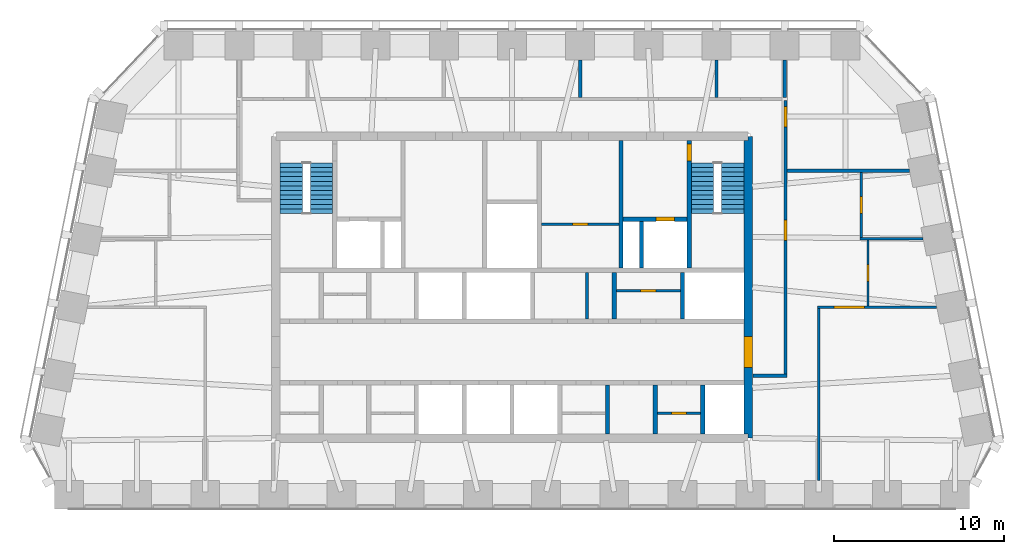
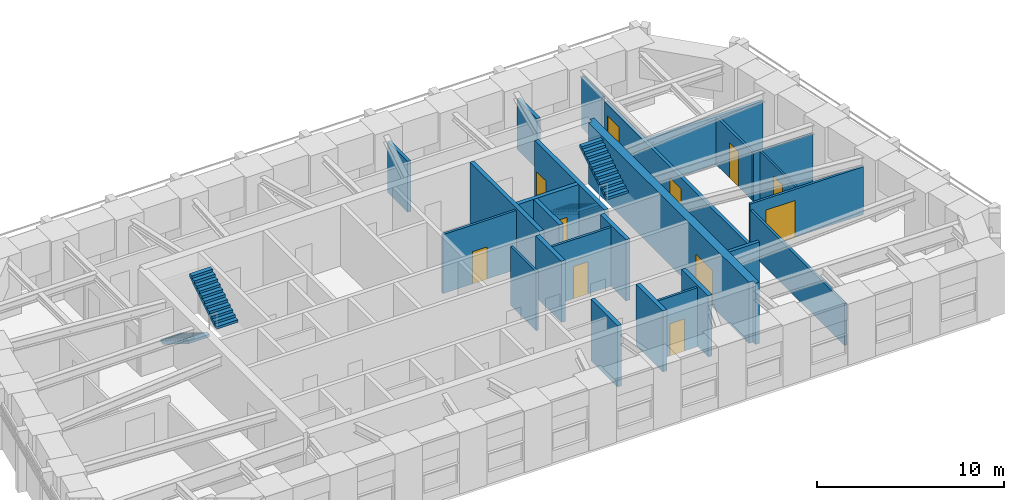
# One storey, part 6 of 8: 25 walls, 11 doors, 4 stair flights, 11 openings, 2 elements without a shape of their own.
"""IFC4 building model written with IfcOpenShell, lengths in metres."""

from ifc_helpers import new_model, si_unit, direction, frame, frame_2d, origin, place, context, subcontext, project, spatial, polyline, rectangle, outline, extrude, material, layer, layer_set, type_object, element, fill, aggregate, save


model = new_model("IFC4")

# Units and contexts
model_context = context("Model", 3, precision=1e-05, world=origin(), true_north=direction((0.0, 1.0)))
body_context = subcontext(model_context, "Body", "Model", "MODEL_VIEW")
ifc_project = project(units=[si_unit("LENGTHUNIT", "METRE"), si_unit("AREAUNIT", "SQUARE_METRE"), si_unit("VOLUMEUNIT", "CUBIC_METRE"), si_unit("PLANEANGLEUNIT", "RADIAN"), si_unit("MASSUNIT", "GRAM", prefix="KILO")], contexts=[model_context])

# Site, building, storey
site_placement = place(None, origin())
site = spatial("IfcSite", under=ifc_project, at=site_placement, CompositionType="ELEMENT")
building_placement = place(site_placement, origin())
building = spatial("IfcBuilding", under=site, at=building_placement, Name="Isbrekke Arena Tower", CompositionType="ELEMENT")
storey_placement = place(building_placement, frame((0.0, 0.0, 320.0)))
storey = spatial("IfcBuildingStorey", under=building, at=storey_placement, Name="L75", CompositionType="ELEMENT", Elevation=320.0)

# Wall, opening, door
ifc_material_1 = material(Name="Concrete B55 (C55/67)", Category="concrete")
ifc_layer_1 = layer(ifc_material_1, 0.5)
ifc_layer_set_1 = layer_set([ifc_layer_1], Name="CW5 CORE WALL 500")
wall_type_1 = type_object("IfcWallType", Name="CW5 CORE WALL 500", PredefinedType="SHEAR", material=ifc_layer_set_1)
wall_1_placement = place(storey_placement, frame((13.85009765625, 6.14990234375, 0.0), z_axis=(0.0, 0.0, 1.0), x_axis=(0.0, 1.0, 0.0)))
wall_1 = element("IfcWall", 1, at=wall_1_placement, inside=storey, type_object=wall_type_1, Name="Core wall E L75", PredefinedType="SHEAR", context=body_context, shape_type="SweptSolid", body=[
    extrude(outline(polyline([(0.0, -0.25), (17.7001953125, -0.25), (17.7001953125, 0.0), (17.4501953125, 0.0), (17.4501953125, 0.25), (0.25, 0.25), (0.25, 0.0), (0.0, 0.0), (0.0, -0.25)])), origin(), (0.0, 0.0, 1.0), 4.0),
])
opening_1_placement = place(wall_1_placement, frame((4.14990234375, 0.0, 0.0)))
opening_1 = element("IfcOpeningElement", 2, at=opening_1_placement, cuts=wall_1, Name="Opening D1", PredefinedType="OPENING", context=body_context, shape_type="SweptSolid", body=[
    extrude(rectangle(XDim=1.800048828125, YDim=2.39990234375, at=frame_2d((0.89990234375, 1.199951171875))), frame((0.0, 0.264892578125, 0.0), z_axis=(0.0, -1.0, 0.0), x_axis=(1.0, 0.0, 0.0)), (0.0, 0.0, 1.0), 0.52978515625),
])
ifc_material_2 = material(Name="Steel-framed glazed fire door", Category="steel")
door_type_1 = type_object("IfcDoorType", Name="D1 CORE LOBBY DOOR 1800 x 2400", OperationType="DOUBLE_DOOR_SINGLE_SWING", PredefinedType="DOOR", material=ifc_material_2)
door_1_placement = place(opening_1_placement, origin())
door_1 = element("IfcDoor", 3, at=door_1_placement, inside=storey, type_object=door_type_1, Name="D1 lift lobby door east L75", OperationType="DOUBLE_DOOR_SINGLE_SWING", OverallHeight=2.39990234375, OverallWidth=1.800048828125, PredefinedType="DOOR", context=body_context, shape_type="SweptSolid", body=[
    extrude(rectangle(XDim=1.800048828125, YDim=2.39990234375, at=frame_2d((0.89990234375, 1.199951171875))), frame((0.0, 0.249755859375, 0.0), z_axis=(0.0, -1.0, 0.0), x_axis=(1.0, 0.0, 0.0)), (0.0, 0.0, 1.0), 0.49951171875),
])
fill(opening_1, door_1)

# Walls
ifc_material_3 = material(Name="Concrete B45 (C45/55)", Category="concrete")
ifc_layer_2 = layer(ifc_material_3, 0.25)
ifc_layer_set_2 = layer_set([ifc_layer_2], Name="CW6 SHAFT WALL 250")
wall_type_2 = type_object("IfcWallType", Name="CW6 SHAFT WALL 250", PredefinedType="SHEAR", material=ifc_layer_set_2)
for number, where, z_axis, x_axis, name in (
    (4, (5.60009765625, 6.39990234375, 0.0), (0.0, 0.0, 1.0), (0.0, 1.0, 0.0), "Core wall SS07 L75"),
    (5, (8.39990234375, 6.39990234375, 0.0), (0.0, 0.0, 1.0), (0.0, 1.0, 0.0), "Core wall SS08 L75"),
    (6, (11.199951171875, 6.39990234375, 0.0), (0.0, 0.0, 1.0), (0.0, 1.0, 0.0), "Core wall SS09 L75"),
):
    element("IfcWall", number, at=place(storey_placement, frame(where, z_axis=z_axis, x_axis=x_axis)), inside=storey, type_object=wall_type_2, Name=name, PredefinedType="SHEAR", context=body_context, shape_type="SweptSolid", body=[
        extrude(rectangle(XDim=2.875, YDim=0.25, at=frame_2d((1.4375, 0.0))), origin(), (0.0, 0.0, 1.0), 4.0),
    ])
for number, where, z_axis, x_axis, name in (
    (7, (6.0, 13.125, 0.0), (0.0, 0.0, 1.0), (0.0, 1.0, 0.0), "Core wall SN06 L75"),
    (8, (10.0, 13.125, 0.0), (0.0, 0.0, 1.0), (0.0, 1.0, 0.0), "Core wall SN07 L75"),
):
    element("IfcWall", number, at=place(storey_placement, frame(where, z_axis=z_axis, x_axis=x_axis)), inside=storey, type_object=wall_type_2, Name=name, PredefinedType="SHEAR", context=body_context, shape_type="SweptSolid", body=[
        extrude(rectangle(XDim=2.75, YDim=0.25, at=frame_2d((1.375, 0.0))), origin(), (0.0, 0.0, 1.0), 4.0),
    ])
wall_2_placement = place(storey_placement, frame((6.39990234375, 16.125, 0.0), z_axis=(0.0, 0.0, 1.0), x_axis=(0.0, 1.0, 0.0)))
element("IfcWall", 9, at=wall_2_placement, inside=storey, type_object=wall_type_2, Name="Core wall NV05 L75", PredefinedType="SHEAR", context=body_context, shape_type="SweptSolid", body=[
    extrude(rectangle(XDim=7.47509765625, YDim=0.25, at=frame_2d((3.737548828125, 0.0))), origin(), (0.0, 0.0, 1.0), 4.0),
])

# Wall, opening, door
wall_3_placement = place(storey_placement, frame((10.39990234375, 16.125, 0.0), z_axis=(0.0, 0.0, 1.0), x_axis=(0.0, 1.0, 0.0)))
wall_3 = element("IfcWall", 10, at=wall_3_placement, inside=storey, type_object=wall_type_2, Name="Core wall NV06 L75", PredefinedType="SHEAR", context=body_context, shape_type="SweptSolid", body=[
    extrude(rectangle(XDim=7.47509765625, YDim=0.25, at=frame_2d((3.737548828125, 0.0))), origin(), (0.0, 0.0, 1.0), 4.0),
])
opening_2_placement = place(wall_3_placement, frame((6.27490234375, 0.0, 0.0)))
opening_2 = element("IfcOpeningElement", 11, at=opening_2_placement, cuts=wall_3, Name="Opening D2", PredefinedType="OPENING", context=body_context, shape_type="SweptSolid", body=[
    extrude(rectangle(XDim=1.0, YDim=2.10009765625, at=frame_2d((0.5, 1.050048828125))), frame((0.0, 0.139892578125, 0.0), z_axis=(0.0, -1.0, 0.0), x_axis=(1.0, 0.0, 0.0)), (0.0, 0.0, 1.0), 0.27978515625),
])
ifc_material_4 = material(Name="Steel fire door", Category="steel")
door_type_2 = type_object("IfcDoorType", Name="D2 STAIR DOOR 1000 x 2100", OperationType="SINGLE_SWING_LEFT", PredefinedType="DOOR", material=ifc_material_4)
door_2_placement = place(opening_2_placement, origin())
door_2 = element("IfcDoor", 12, at=door_2_placement, inside=storey, type_object=door_type_2, Name="D2 stair door ST2 L75", OperationType="SINGLE_SWING_LEFT", OverallHeight=2.10009765625, OverallWidth=1.0, PredefinedType="DOOR", context=body_context, shape_type="SweptSolid", body=[
    extrude(rectangle(XDim=1.0, YDim=2.10009765625, at=frame_2d((0.5, 1.050048828125))), frame((0.0, 0.124755859375, 0.0), z_axis=(0.0, -1.0, 0.0), x_axis=(1.0, 0.0, 0.0)), (0.0, 0.0, 1.0), 0.24951171875),
])
fill(opening_2, door_2)

wall_4_placement = place(storey_placement, frame((6.52490234375, 19.0, 0.0), z_axis=(0.0, 0.0, 1.0), x_axis=(1.0, 0.0, 0.0)))
wall_4 = element("IfcWall", 13, at=wall_4_placement, inside=storey, type_object=wall_type_2, Name="Core wall NFE L75", PredefinedType="SHEAR", context=body_context, shape_type="SweptSolid", body=[
    extrude(rectangle(XDim=3.75, YDim=0.25, at=frame_2d((1.875, 0.0))), origin(), (0.0, 0.0, 1.0), 4.0),
])
opening_3_placement = place(wall_4_placement, frame((1.925048828125, 0.0, 0.0)))
opening_3 = element("IfcOpeningElement", 14, at=opening_3_placement, cuts=wall_4, Name="Opening LD2", PredefinedType="OPENING", context=body_context, shape_type="SweptSolid", body=[
    extrude(rectangle(XDim=1.10009765625, YDim=2.10009765625, at=frame_2d((0.550048828125, 1.050048828125))), frame((0.0, 0.139892578125, 0.0), z_axis=(0.0, -1.0, 0.0), x_axis=(1.0, 0.0, 0.0)), (0.0, 0.0, 1.0), 0.27978515625),
])
ifc_material_5 = material(Name="Stainless steel lift landing door", Category="steel")
door_type_3 = type_object("IfcDoorType", Name="LD2 FIRE-FIGHTING LIFT LANDING DOOR 1100 x 2100", OperationType="SLIDING_TO_RIGHT", PredefinedType="DOOR", material=ifc_material_5)
door_3_placement = place(opening_3_placement, origin())
door_3 = element("IfcDoor", 15, at=door_3_placement, inside=storey, type_object=door_type_3, Name="LD2 lift landing door LF L75", OperationType="SLIDING_TO_RIGHT", OverallHeight=2.10009765625, OverallWidth=1.10009765625, PredefinedType="DOOR", context=body_context, shape_type="SweptSolid", body=[
    extrude(rectangle(XDim=1.10009765625, YDim=2.10009765625, at=frame_2d((0.550048828125, 1.050048828125))), frame((0.0, 0.124755859375, 0.0), z_axis=(0.0, -1.0, 0.0), x_axis=(1.0, 0.0, 0.0)), (0.0, 0.0, 1.0), 0.24951171875),
])
fill(opening_3, door_3)

# Wall
wall_5_placement = place(storey_placement, frame((7.60009765625, 16.125, 0.0), z_axis=(0.0, 0.0, 1.0), x_axis=(0.0, 1.0, 0.0)))
element("IfcWall", 16, at=wall_5_placement, inside=storey, type_object=wall_type_2, Name="Core wall NFS2 L75", PredefinedType="SHEAR", context=body_context, shape_type="SweptSolid", body=[
    extrude(rectangle(XDim=2.75, YDim=0.25, at=frame_2d((1.375, 0.0))), origin(), (0.0, 0.0, 1.0), 4.0),
])

# Wall, opening, door
ifc_material_6 = material(Name="Gypsum board partition on steel studs", Category="steel")
ifc_layer_3 = layer(ifc_material_6, 0.14990234375)
ifc_layer_set_3 = layer_set([ifc_layer_3], Name="IW1 PARTITION 150")
wall_type_3 = type_object("IfcWallType", Name="IW1 PARTITION 150", PredefinedType="PARTITIONING", material=ifc_layer_set_3)
wall_6_placement = place(storey_placement, frame((17.925048828125, 13.840087890625, 0.0), z_axis=(0.0, 0.0, 1.0), x_axis=(1.0, 0.0, 0.0)))
wall_6 = element("IfcWall", 17, at=wall_6_placement, inside=storey, type_object=wall_type_3, Name="IW1 partition 150 L75", PredefinedType="PARTITIONING", context=body_context, shape_type="SweptSolid", body=[
    extrude(rectangle(XDim=6.998779296875, YDim=0.14990234375, at=frame_2d((3.49951171875, 0.0))), origin(), (0.0, 0.0, 1.0), 3.1298828125),
])
opening_4_placement = place(wall_6_placement, frame((0.97509765625, 0.0, 0.0)))
opening_4 = element("IfcOpeningElement", 18, at=opening_4_placement, cuts=wall_6, Name="Opening D13", PredefinedType="OPENING", context=body_context, shape_type="SweptSolid", body=[
    extrude(rectangle(XDim=1.800048828125, YDim=2.39990234375, at=frame_2d((0.89990234375, 1.199951171875))), frame((0.0, 0.08984375, 0.0), z_axis=(0.0, -1.0, 0.0), x_axis=(1.0, 0.0, 0.0)), (0.0, 0.0, 1.0), 0.1796875),
])
ifc_material_7 = material(Name="Timber door pair", Category="wood")
door_type_4 = type_object("IfcDoorType", Name="D13 DOUBLE ROOM DOOR 1800 x 2400", OperationType="DOUBLE_DOOR_SINGLE_SWING", PredefinedType="DOOR", material=ifc_material_7)
door_4_placement = place(opening_4_placement, origin())
door_4 = element("IfcDoor", 19, at=door_4_placement, inside=storey, type_object=door_type_4, Name="D13 event lounge door L75", OperationType="DOUBLE_DOOR_SINGLE_SWING", OverallHeight=2.39990234375, OverallWidth=1.800048828125, PredefinedType="DOOR", context=body_context, shape_type="SweptSolid", body=[
    extrude(rectangle(XDim=1.800048828125, YDim=2.39990234375, at=frame_2d((0.89990234375, 1.199951171875))), frame((0.0, 0.07470703125, 0.0), z_axis=(0.0, -1.0, 0.0), x_axis=(1.0, 0.0, 0.0)), (0.0, 0.0, 1.0), 0.1494140625),
])
fill(opening_4, door_4)

# Walls
wall_7_placement = place(storey_placement, frame((20.425048828125, 17.840087890625, 0.0), z_axis=(0.0, 0.0, 1.0), x_axis=(1.0, 0.0, 0.0)))
element("IfcWall", 20, at=wall_7_placement, inside=storey, type_object=wall_type_3, Name="IW1 partition 150 L75", PredefinedType="PARTITIONING", context=body_context, shape_type="SweptSolid", body=[
    extrude(rectangle(XDim=3.69873046875, YDim=0.14990234375, at=frame_2d((1.849365234375, 0.0))), origin(), (0.0, 0.0, 1.0), 3.1298828125),
])
wall_8_placement = place(storey_placement, frame((18.0, 3.675048828125, 0.0), z_axis=(0.0, 0.0, 1.0), x_axis=(0.0, 1.0, 0.0)))
element("IfcWall", 21, at=wall_8_placement, inside=storey, type_object=wall_type_3, Name="IW1 partition 150 L75", PredefinedType="PARTITIONING", context=body_context, shape_type="SweptSolid", body=[
    extrude(rectangle(XDim=10.08984375, YDim=0.14990234375, at=frame_2d((5.044921875, 0.0))), origin(), (0.0, 0.0, 1.0), 2.741943359375),
])

# Wall, opening, door
wall_9_placement = place(storey_placement, frame((20.5, 17.9150390625, 0.0), z_axis=(0.0, 0.0, 1.0), x_axis=(0.0, 1.0, 0.0)))
wall_9 = element("IfcWall", 22, at=wall_9_placement, inside=storey, type_object=wall_type_3, Name="IW1 partition 150 L75", PredefinedType="PARTITIONING", context=body_context, shape_type="SweptSolid", body=[
    extrude(rectangle(XDim=3.824951171875, YDim=0.14990234375, at=frame_2d((1.91259765625, 0.0))), origin(), (0.0, 0.0, 1.0), 3.1298828125),
])
opening_5_placement = place(wall_9_placement, frame((1.425048828125, 0.0, 0.0)))
opening_5 = element("IfcOpeningElement", 23, at=opening_5_placement, cuts=wall_9, Name="Opening D10", PredefinedType="OPENING", context=body_context, shape_type="SweptSolid", body=[
    extrude(rectangle(XDim=1.0, YDim=2.300048828125, at=frame_2d((0.5, 1.14990234375))), frame((0.0, 0.08984375, 0.0), z_axis=(0.0, -1.0, 0.0), x_axis=(1.0, 0.0, 0.0)), (0.0, 0.0, 1.0), 0.1796875),
])
ifc_material_8 = material(Name="Timber door", Category="wood")
door_type_5 = type_object("IfcDoorType", Name="D10 OFFICE DOOR 1000 x 2300", OperationType="SINGLE_SWING_LEFT", PredefinedType="DOOR", material=ifc_material_8)
door_5_placement = place(opening_5_placement, origin())
door_5 = element("IfcDoor", 24, at=door_5_placement, inside=storey, type_object=door_type_5, Name="D10 office door L75", OperationType="SINGLE_SWING_LEFT", OverallHeight=2.300048828125, OverallWidth=1.0, PredefinedType="DOOR", context=body_context, shape_type="SweptSolid", body=[
    extrude(rectangle(XDim=1.0, YDim=2.300048828125, at=frame_2d((0.5, 1.14990234375))), frame((0.0, 0.07470703125, 0.0), z_axis=(0.0, -1.0, 0.0), x_axis=(1.0, 0.0, 0.0)), (0.0, 0.0, 1.0), 0.1494140625),
])
fill(opening_5, door_5)

ifc_material_9 = material(Name="Frameless glazed partition, laminated acoustic glass", Category="glass")
ifc_layer_4 = layer(ifc_material_9, 0.1201171875)
ifc_layer_set_4 = layer_set([ifc_layer_4], Name="IW2 GLAZED PARTITION 120")
wall_type_4 = type_object("IfcWallType", Name="IW2 GLAZED PARTITION 120", PredefinedType="PARTITIONING", material=ifc_layer_set_4)
wall_10_placement = place(storey_placement, frame((20.89990234375, 13.9150390625, 0.0), z_axis=(0.0, 0.0, 1.0), x_axis=(0.0, 1.0, 0.0)))
wall_10 = element("IfcWall", 25, at=wall_10_placement, inside=storey, type_object=wall_type_4, Name="IW2 glazed partition 120 L75", PredefinedType="PARTITIONING", context=body_context, shape_type="SweptSolid", body=[
    extrude(rectangle(XDim=3.849853515625, YDim=0.1201171875, at=frame_2d((1.9248046875, 0.0))), origin(), (0.0, 0.0, 1.0), 3.1298828125),
])
opening_6_placement = place(wall_10_placement, frame((1.425048828125, 0.0, 0.0)))
opening_6 = element("IfcOpeningElement", 26, at=opening_6_placement, cuts=wall_10, Name="Opening D11", PredefinedType="OPENING", context=body_context, shape_type="SweptSolid", body=[
    extrude(rectangle(XDim=1.0, YDim=2.39990234375, at=frame_2d((0.5, 1.199951171875))), frame((0.0, 0.074951171875, 0.0), z_axis=(0.0, -1.0, 0.0), x_axis=(1.0, 0.0, 0.0)), (0.0, 0.0, 1.0), 0.14990234375),
])
ifc_material_10 = material(Name="Frameless glazed door", Category="glass")
door_type_6 = type_object("IfcDoorType", Name="D11 GLAZED MEETING ROOM DOOR 1000 x 2400", OperationType="SINGLE_SWING_RIGHT", PredefinedType="DOOR", material=ifc_material_10)
door_6_placement = place(opening_6_placement, origin())
door_6 = element("IfcDoor", 27, at=door_6_placement, inside=storey, type_object=door_type_6, Name="D11 meeting room door L75", OperationType="SINGLE_SWING_RIGHT", OverallHeight=2.39990234375, OverallWidth=1.0, PredefinedType="DOOR", context=body_context, shape_type="SweptSolid", body=[
    extrude(rectangle(XDim=1.0, YDim=2.39990234375, at=frame_2d((0.5, 1.199951171875))), frame((0.0, 0.059814453125, 0.0), z_axis=(0.0, -1.0, 0.0), x_axis=(1.0, 0.0, 0.0)), (0.0, 0.0, 1.0), 0.11962890625),
])
fill(opening_6, door_6)

# Walls
ifc_material_11 = material(Name="Gypsum board fire-cell wall on steel studs, two layers each side", Category="steel")
ifc_layer_5 = layer(ifc_material_11, 0.199951171875)
ifc_layer_set_5 = layer_set([ifc_layer_5], Name="IW3 FIRE-CELL WALL 200")
wall_type_5 = type_object("IfcWallType", Name="IW3 FIRE-CELL WALL 200", PredefinedType="PARTITIONING", material=ifc_layer_set_5)
wall_11_placement = place(storey_placement, frame((14.1298828125, 9.800048828125, 0.0), z_axis=(0.0, 0.0, 1.0), x_axis=(1.0, 0.0, 0.0)))
element("IfcWall", 28, at=wall_11_placement, inside=storey, type_object=wall_type_5, Name="IW3 fire-cell wall 200 L75", PredefinedType="PARTITIONING", context=body_context, shape_type="SweptSolid", body=[
    extrude(rectangle(XDim=2.02001953125, YDim=0.199951171875, at=frame_2d((1.010009765625, 0.0))), origin(), (0.0, 0.0, 1.0), 3.75),
])
wall_12_placement = place(storey_placement, frame((16.14990234375, 21.840087890625, 0.0), z_axis=(0.0, 0.0, 1.0), x_axis=(1.0, 0.0, 0.0)))
element("IfcWall", 29, at=wall_12_placement, inside=storey, type_object=wall_type_5, Name="IW3 fire-cell wall 200 L75", PredefinedType="PARTITIONING", context=body_context, shape_type="SweptSolid", body=[
    extrude(rectangle(XDim=7.173828125, YDim=0.199951171875, at=frame_2d((3.5869140625, 0.0))), origin(), (0.0, 0.0, 1.0), 3.1298828125),
])
for number, where, z_axis, x_axis, name in (
    (30, (4.0, 26.14990234375, 0.0), (0.0, 0.0, 1.0), (0.0, 1.0, 0.0), "IW3 fire-cell wall 200 L75"),
    (31, (12.0, 26.14990234375, 0.0), (0.0, 0.0, 1.0), (0.0, 1.0, 0.0), "IW3 fire-cell wall 200 L75"),
    (32, (16.0, 26.14990234375, 0.0), (0.0, 0.0, 1.0), (0.0, 1.0, 0.0), "IW3 fire-cell wall 200 L75"),
):
    element("IfcWall", number, at=place(storey_placement, frame(where, z_axis=z_axis, x_axis=x_axis)), inside=storey, type_object=wall_type_5, Name=name, PredefinedType="PARTITIONING", context=body_context, shape_type="SweptSolid", body=[
        extrude(rectangle(XDim=2.175048828125, YDim=0.199951171875, at=frame_2d((1.08740234375, 0.0))), origin(), (0.0, 0.0, 1.0), 3.318115234375),
    ])

# Wall, openings, doors
wall_13_placement = place(storey_placement, frame((16.050048828125, 9.89990234375, 0.0), z_axis=(0.0, 0.0, 1.0), x_axis=(0.0, 1.0, 0.0)))
wall_13 = element("IfcWall", 33, at=wall_13_placement, inside=storey, type_object=wall_type_5, Name="IW3 fire-cell wall 200 L75", PredefinedType="PARTITIONING", context=body_context, shape_type="SweptSolid", body=[
    extrude(rectangle(XDim=16.050048828125, YDim=0.199951171875, at=frame_2d((8.02490234375, 0.0))), origin(), (0.0, 0.0, 1.0), 3.1298828125),
])
opening_7_placement = place(wall_13_placement, frame((14.5, 0.0, 0.0)))
opening_7 = element("IfcOpeningElement", 34, at=opening_7_placement, cuts=wall_13, Name="Opening D12", PredefinedType="OPENING", context=body_context, shape_type="SweptSolid", body=[
    extrude(rectangle(XDim=1.199951171875, YDim=2.39990234375, at=frame_2d((0.60009765625, 1.199951171875))), frame((0.0, 0.11474609375, 0.0), z_axis=(0.0, -1.0, 0.0), x_axis=(1.0, 0.0, 0.0)), (0.0, 0.0, 1.0), 0.229736328125),
])
opening_8_placement = place(wall_13_placement, frame((7.85009765625, 0.0, 0.0)))
opening_8 = element("IfcOpeningElement", 35, at=opening_8_placement, cuts=wall_13, Name="Opening D12", PredefinedType="OPENING", context=body_context, shape_type="SweptSolid", body=[
    extrude(rectangle(XDim=1.199951171875, YDim=2.39990234375, at=frame_2d((0.60009765625, 1.199951171875))), frame((0.0, 0.11474609375, 0.0), z_axis=(0.0, -1.0, 0.0), x_axis=(1.0, 0.0, 0.0)), (0.0, 0.0, 1.0), 0.229736328125),
])
ifc_material_12 = material(Name="Timber fire door with vision panel", Category="wood")
door_type_7 = type_object("IfcDoorType", Name="D12 SUITE ENTRANCE DOOR 1200 x 2400", OperationType="SINGLE_SWING_LEFT", PredefinedType="DOOR", material=ifc_material_12)
door_7_placement = place(opening_7_placement, origin())
door_7 = element("IfcDoor", 36, at=door_7_placement, inside=storey, type_object=door_type_7, Name="D12 suite entrance NCE door L75", OperationType="SINGLE_SWING_LEFT", OverallHeight=2.39990234375, OverallWidth=1.199951171875, PredefinedType="DOOR", context=body_context, shape_type="SweptSolid", body=[
    extrude(rectangle(XDim=1.199951171875, YDim=2.39990234375, at=frame_2d((0.60009765625, 1.199951171875))), frame((0.0, 0.099609375, 0.0), z_axis=(0.0, -1.0, 0.0), x_axis=(1.0, 0.0, 0.0)), (0.0, 0.0, 1.0), 0.199462890625),
])
fill(opening_7, door_7)
door_8_placement = place(opening_8_placement, frame((1.199951171875, 0.0, 0.0), z_axis=(0.0, 0.0, 1.0), x_axis=(-1.0, 0.0, 0.0)))
door_8 = element("IfcDoor", 37, at=door_8_placement, inside=storey, type_object=door_type_7, Name="D12 suite entrance E door L75", OperationType="SINGLE_SWING_LEFT", OverallHeight=2.39990234375, OverallWidth=1.199951171875, PredefinedType="DOOR", context=body_context, shape_type="SweptSolid", body=[
    extrude(rectangle(XDim=1.199951171875, YDim=2.39990234375, at=frame_2d((0.60009765625, 1.199951171875))), frame((0.0, 0.099609375, 0.0), z_axis=(0.0, -1.0, 0.0), x_axis=(1.0, 0.0, 0.0)), (0.0, 0.0, 1.0), 0.199462890625),
])
fill(opening_8, door_8)

# Wall, opening, door
ifc_material_13 = material(Name="Gypsum board fire-rated partition on steel studs, two layers each side", Category="steel")
ifc_layer_6 = layer(ifc_material_13, 0.14990234375)
ifc_layer_set_6 = layer_set([ifc_layer_6], Name="IW5 FIRE-RATED PARTITION 150")
wall_type_6 = type_object("IfcWallType", Name="IW5 FIRE-RATED PARTITION 150", PredefinedType="PARTITIONING", material=ifc_layer_set_6)
wall_14_placement = place(storey_placement, frame((1.72509765625, 18.699951171875, 0.0), z_axis=(0.0, 0.0, 1.0), x_axis=(1.0, 0.0, 0.0)))
wall_14 = element("IfcWall", 38, at=wall_14_placement, inside=storey, type_object=wall_type_6, Name="IW5 fire-rated partition L75 cleaner's store M", PredefinedType="PARTITIONING", context=body_context, shape_type="SweptSolid", body=[
    extrude(rectangle(XDim=4.5498046875, YDim=0.14990234375, at=frame_2d((2.27490234375, 0.0))), origin(), (0.0, 0.0, 1.0), 3.85009765625),
])
opening_9_placement = place(wall_14_placement, frame((1.824951171875, 0.0, 0.0)))
opening_9 = element("IfcOpeningElement", 39, at=opening_9_placement, cuts=wall_14, Name="Opening D5", PredefinedType="OPENING", context=body_context, shape_type="SweptSolid", body=[
    extrude(rectangle(XDim=0.89990234375, YDim=2.10009765625, at=frame_2d((0.449951171875, 1.050048828125))), frame((0.0, 0.08984375, 0.0), z_axis=(0.0, -1.0, 0.0), x_axis=(1.0, 0.0, 0.0)), (0.0, 0.0, 1.0), 0.1796875),
])
ifc_material_14 = material(Name="Steel fire door", Category="steel")
door_type_8 = type_object("IfcDoorType", Name="D5 SERVICE DOOR 900 x 2100", OperationType="SINGLE_SWING_LEFT", PredefinedType="DOOR", material=ifc_material_14)
door_9_placement = place(opening_9_placement, origin())
door_9 = element("IfcDoor", 40, at=door_9_placement, inside=storey, type_object=door_type_8, Name="D5 cleaner's store door L75", OperationType="SINGLE_SWING_LEFT", OverallHeight=2.10009765625, OverallWidth=0.89990234375, PredefinedType="DOOR", context=body_context, shape_type="SweptSolid", body=[
    extrude(rectangle(XDim=0.89990234375, YDim=2.10009765625, at=frame_2d((0.449951171875, 1.050048828125))), frame((0.0, 0.07470703125, 0.0), z_axis=(0.0, -1.0, 0.0), x_axis=(1.0, 0.0, 0.0)), (0.0, 0.0, 1.0), 0.1494140625),
])
fill(opening_9, door_9)

# Wall
wall_15_placement = place(storey_placement, frame((4.39990234375, 13.125, 0.0), z_axis=(0.0, 0.0, 1.0), x_axis=(0.0, 1.0, 0.0)))
element("IfcWall", 41, at=wall_15_placement, inside=storey, type_object=wall_type_6, Name="IW5 fire-rated partition L75 core service rooms 1", PredefinedType="PARTITIONING", context=body_context, shape_type="SweptSolid", body=[
    extrude(rectangle(XDim=2.75, YDim=0.14990234375, at=frame_2d((1.375, 0.0))), origin(), (0.0, 0.0, 1.0), 3.85009765625),
])

# Wall, opening, door
wall_16_placement = place(storey_placement, frame((6.125, 14.800048828125, 0.0), z_axis=(0.0, 0.0, 1.0), x_axis=(1.0, 0.0, 0.0)))
wall_16 = element("IfcWall", 42, at=wall_16_placement, inside=storey, type_object=wall_type_6, Name="IW5 fire-rated partition L75 core service rooms 2", PredefinedType="PARTITIONING", context=body_context, shape_type="SweptSolid", body=[
    extrude(rectangle(XDim=3.75, YDim=0.14990234375, at=frame_2d((1.875, 0.0))), origin(), (0.0, 0.0, 1.0), 3.85009765625),
])
opening_10_placement = place(wall_16_placement, frame((1.425048828125, 0.0, 0.0)))
opening_10 = element("IfcOpeningElement", 43, at=opening_10_placement, cuts=wall_16, Name="Opening D5", PredefinedType="OPENING", context=body_context, shape_type="SweptSolid", body=[
    extrude(rectangle(XDim=0.89990234375, YDim=2.10009765625, at=frame_2d((0.449951171875, 1.050048828125))), frame((0.0, 0.08984375, 0.0), z_axis=(0.0, -1.0, 0.0), x_axis=(1.0, 0.0, 0.0)), (0.0, 0.0, 1.0), 0.1796875),
])
door_10_placement = place(opening_10_placement, origin())
door_10 = element("IfcDoor", 44, at=door_10_placement, inside=storey, type_object=door_type_8, Name="D5 technical room door L75", OperationType="SINGLE_SWING_LEFT", OverallHeight=2.10009765625, OverallWidth=0.89990234375, PredefinedType="DOOR", context=body_context, shape_type="SweptSolid", body=[
    extrude(rectangle(XDim=0.89990234375, YDim=2.10009765625, at=frame_2d((0.449951171875, 1.050048828125))), frame((0.0, 0.07470703125, 0.0), z_axis=(0.0, -1.0, 0.0), x_axis=(1.0, 0.0, 0.0)), (0.0, 0.0, 1.0), 0.1494140625),
])
fill(opening_10, door_10)

wall_17_placement = place(storey_placement, frame((8.52490234375, 7.60009765625, 0.0), z_axis=(0.0, 0.0, 1.0), x_axis=(1.0, 0.0, 0.0)))
wall_17 = element("IfcWall", 45, at=wall_17_placement, inside=storey, type_object=wall_type_6, Name="IW5 fire-rated partition L75 core service rooms 7", PredefinedType="PARTITIONING", context=body_context, shape_type="SweptSolid", body=[
    extrude(rectangle(XDim=2.550048828125, YDim=0.14990234375, at=frame_2d((1.27490234375, 0.0))), origin(), (0.0, 0.0, 1.0), 3.85009765625),
])
opening_11_placement = place(wall_17_placement, frame((0.824951171875, 0.0, 0.0)))
opening_11 = element("IfcOpeningElement", 46, at=opening_11_placement, cuts=wall_17, Name="Opening D5", PredefinedType="OPENING", context=body_context, shape_type="SweptSolid", body=[
    extrude(rectangle(XDim=0.89990234375, YDim=2.10009765625, at=frame_2d((0.449951171875, 1.050048828125))), frame((0.0, 0.08984375, 0.0), z_axis=(0.0, -1.0, 0.0), x_axis=(1.0, 0.0, 0.0)), (0.0, 0.0, 1.0), 0.1796875),
])
door_11_placement = place(opening_11_placement, origin())
door_11 = element("IfcDoor", 47, at=door_11_placement, inside=storey, type_object=door_type_8, Name="D5 tenant store door L75", OperationType="SINGLE_SWING_LEFT", OverallHeight=2.10009765625, OverallWidth=0.89990234375, PredefinedType="DOOR", context=body_context, shape_type="SweptSolid", body=[
    extrude(rectangle(XDim=0.89990234375, YDim=2.10009765625, at=frame_2d((0.449951171875, 1.050048828125))), frame((0.0, 0.07470703125, 0.0), z_axis=(0.0, -1.0, 0.0), x_axis=(1.0, 0.0, 0.0)), (0.0, 0.0, 1.0), 0.1494140625),
])
fill(opening_11, door_11)

# Stair, stair flights
ifc_material_15 = material(Name="Concrete B45 (C45/55) precast", Category="concrete")
stair_type = type_object("IfcStairType", Name="ST40 STAIR 1300 WIDE, 24 RISERS 167", PredefinedType="HALF_TURN_STAIR", material=ifc_material_15)
stair_1_placement = place(storey_placement, origin())
stair_1 = element("IfcStair", 48, at=stair_1_placement, inside=storey, type_object=stair_type, Name="ST1 stair L75", PredefinedType="HALF_TURN_STAIR")
ifc_material_16 = material(Name="Concrete B45 (C45/55) precast", Category="concrete")
stair_flight_type = type_object("IfcStairFlightType", Name="SF 1300 FLIGHT", PredefinedType="STRAIGHT", material=ifc_material_16)
stair_flight_1_placement = place(storey_placement, frame((-12.949951171875, 22.300048828125, 0.0), z_axis=(0.0, 0.0, 1.0), x_axis=(0.0, -1.0, 0.0)))
stair_flight_1 = element("IfcStairFlight", 49, at=stair_flight_1_placement, type_object=stair_flight_type, Name="ST1 flight 1", NumberOfRisers=12, NumberOfTreads=11, PredefinedType="STRAIGHT", RiserHeight=0.166666667, TreadLength=0.27, context=body_context, shape_type="SweptSolid", body=[
    extrude(outline(polyline([(0.0, 0.0), (0.0, 0.166748046875), (0.27001953125, 0.166748046875), (0.27001953125, 0.333251953125), (0.5400390625, 0.333251953125), (0.5400390625, 0.5), (0.81005859375, 0.5), (0.81005859375, 0.666748046875), (1.080078125, 0.666748046875), (1.080078125, 0.833251953125), (1.35009765625, 0.833251953125), (1.35009765625, 1.0), (1.6201171875, 1.0), (1.6201171875, 1.166748046875), (1.889892578125, 1.166748046875), (1.889892578125, 1.333251953125), (2.159912109375, 1.333251953125), (2.159912109375, 1.5), (2.429931640625, 1.5), (2.429931640625, 1.666748046875), (2.699951171875, 1.666748046875), (2.699951171875, 1.833251953125), (2.969970703125, 1.833251953125), (2.969970703125, 2.0), (2.969970703125, 1.6572265625), (0.285400390625, 0.0), (0.0, 0.0)])), frame((0.0, 0.64990234375, 0.0), z_axis=(0.0, -1.0, 0.0), x_axis=(1.0, 0.0, 0.0)), (0.0, 0.0, 1.0), 1.300048828125),
])
stair_flight_2_placement = place(storey_placement, frame((-11.175048828125, 19.330078125, 2.0), z_axis=(0.0, 0.0, 1.0), x_axis=(0.0, 1.0, 0.0)))
stair_flight_2 = element("IfcStairFlight", 50, at=stair_flight_2_placement, type_object=stair_flight_type, Name="ST1 flight 2", NumberOfRisers=12, NumberOfTreads=11, PredefinedType="STRAIGHT", RiserHeight=0.166666667, TreadLength=0.27, context=body_context, shape_type="SweptSolid", body=[
    extrude(outline(polyline([(0.0, 0.0), (0.0, 0.166748046875), (0.27001953125, 0.166748046875), (0.27001953125, 0.333251953125), (0.5400390625, 0.333251953125), (0.5400390625, 0.5), (0.81005859375, 0.5), (0.81005859375, 0.666748046875), (1.080078125, 0.666748046875), (1.080078125, 0.833251953125), (1.35009765625, 0.833251953125), (1.35009765625, 1.0), (1.6201171875, 1.0), (1.6201171875, 1.166748046875), (1.889892578125, 1.166748046875), (1.889892578125, 1.333251953125), (2.159912109375, 1.333251953125), (2.159912109375, 1.5), (2.429931640625, 1.5), (2.429931640625, 1.666748046875), (2.699951171875, 1.666748046875), (2.699951171875, 1.833251953125), (2.969970703125, 1.833251953125), (2.969970703125, 2.0), (2.969970703125, 1.6572265625), (0.285400390625, 0.0), (0.0, 0.0)])), frame((0.0, 0.64990234375, 0.0), z_axis=(0.0, -1.0, 0.0), x_axis=(1.0, 0.0, 0.0)), (0.0, 0.0, 1.0), 1.300048828125),
])
aggregate(stair_1, [stair_flight_1, stair_flight_2])

stair_2_placement = place(storey_placement, origin())
stair_2 = element("IfcStair", 51, at=stair_2_placement, inside=storey, type_object=stair_type, Name="ST2 stair L75", PredefinedType="HALF_TURN_STAIR")
stair_flight_3_placement = place(storey_placement, frame((11.175048828125, 22.300048828125, 0.0), z_axis=(0.0, 0.0, 1.0), x_axis=(0.0, -1.0, 0.0)))
stair_flight_3 = element("IfcStairFlight", 52, at=stair_flight_3_placement, type_object=stair_flight_type, Name="ST2 flight 1", NumberOfRisers=12, NumberOfTreads=11, PredefinedType="STRAIGHT", RiserHeight=0.166666667, TreadLength=0.27, context=body_context, shape_type="SweptSolid", body=[
    extrude(outline(polyline([(0.0, 0.0), (0.0, 0.166748046875), (0.27001953125, 0.166748046875), (0.27001953125, 0.333251953125), (0.5400390625, 0.333251953125), (0.5400390625, 0.5), (0.81005859375, 0.5), (0.81005859375, 0.666748046875), (1.080078125, 0.666748046875), (1.080078125, 0.833251953125), (1.35009765625, 0.833251953125), (1.35009765625, 1.0), (1.6201171875, 1.0), (1.6201171875, 1.166748046875), (1.889892578125, 1.166748046875), (1.889892578125, 1.333251953125), (2.159912109375, 1.333251953125), (2.159912109375, 1.5), (2.429931640625, 1.5), (2.429931640625, 1.666748046875), (2.699951171875, 1.666748046875), (2.699951171875, 1.833251953125), (2.969970703125, 1.833251953125), (2.969970703125, 2.0), (2.969970703125, 1.6572265625), (0.285400390625, 0.0), (0.0, 0.0)])), frame((0.0, 0.64990234375, 0.0), z_axis=(0.0, -1.0, 0.0), x_axis=(1.0, 0.0, 0.0)), (0.0, 0.0, 1.0), 1.300048828125),
])
stair_flight_4_placement = place(storey_placement, frame((12.949951171875, 19.330078125, 2.0), z_axis=(0.0, 0.0, 1.0), x_axis=(0.0, 1.0, 0.0)))
stair_flight_4 = element("IfcStairFlight", 53, at=stair_flight_4_placement, type_object=stair_flight_type, Name="ST2 flight 2", NumberOfRisers=12, NumberOfTreads=11, PredefinedType="STRAIGHT", RiserHeight=0.166666667, TreadLength=0.27, context=body_context, shape_type="SweptSolid", body=[
    extrude(outline(polyline([(0.0, 0.0), (0.0, 0.166748046875), (0.27001953125, 0.166748046875), (0.27001953125, 0.333251953125), (0.5400390625, 0.333251953125), (0.5400390625, 0.5), (0.81005859375, 0.5), (0.81005859375, 0.666748046875), (1.080078125, 0.666748046875), (1.080078125, 0.833251953125), (1.35009765625, 0.833251953125), (1.35009765625, 1.0), (1.6201171875, 1.0), (1.6201171875, 1.166748046875), (1.889892578125, 1.166748046875), (1.889892578125, 1.333251953125), (2.159912109375, 1.333251953125), (2.159912109375, 1.5), (2.429931640625, 1.5), (2.429931640625, 1.666748046875), (2.699951171875, 1.666748046875), (2.699951171875, 1.833251953125), (2.969970703125, 1.833251953125), (2.969970703125, 2.0), (2.969970703125, 1.6572265625), (0.285400390625, 0.0), (0.0, 0.0)])), frame((0.0, 0.64990234375, 0.0), z_axis=(0.0, -1.0, 0.0), x_axis=(1.0, 0.0, 0.0)), (0.0, 0.0, 1.0), 1.300048828125),
])
aggregate(stair_2, [stair_flight_3, stair_flight_4])

save(model, "model.ifc")
